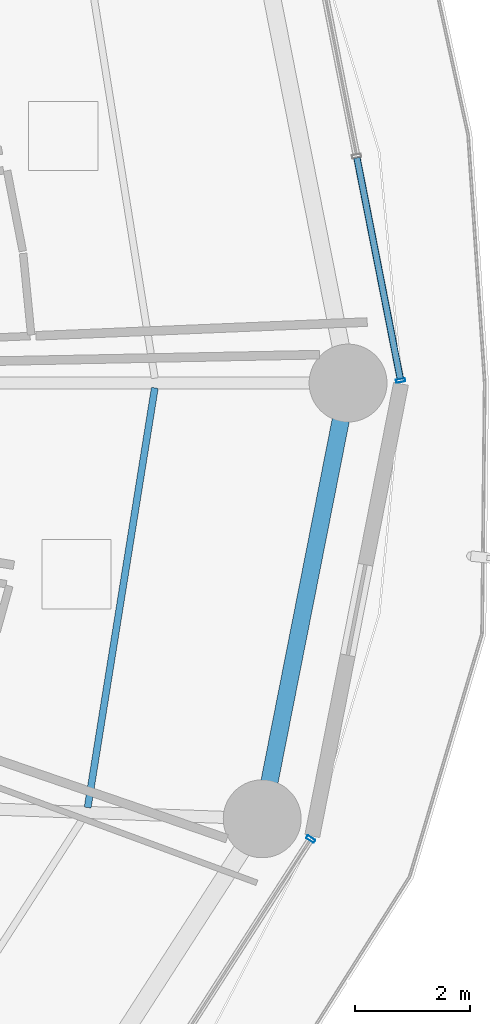
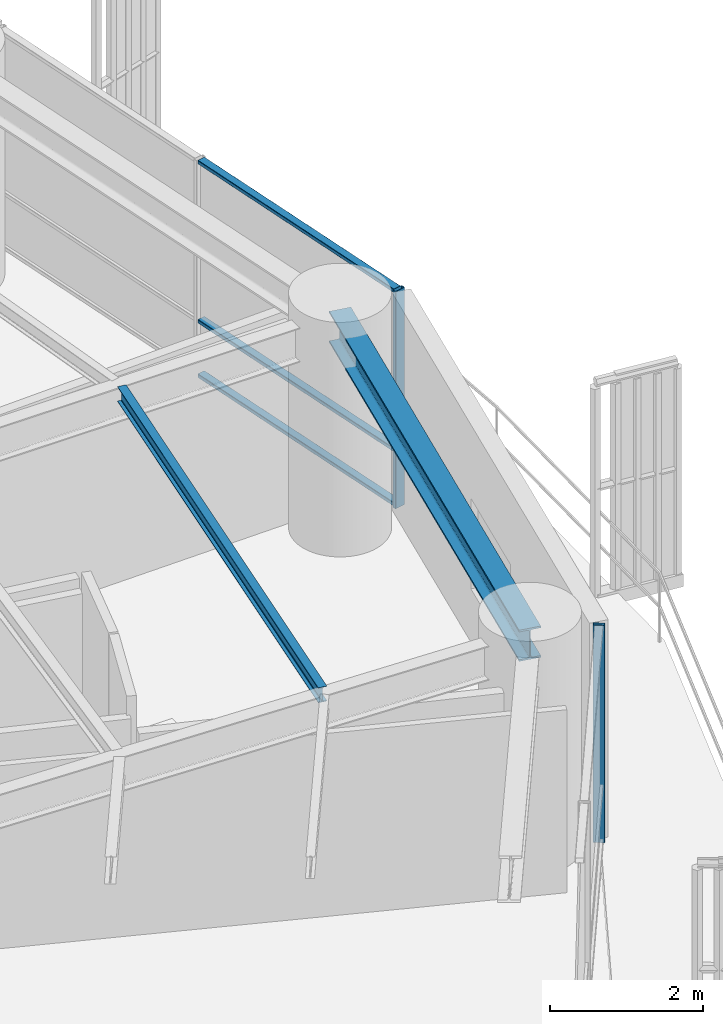
# One storey, part 15 of 35: 5 members, 2 beams, 2 elements without a shape of their own.
"""IFC4 building model written with IfcOpenShell, lengths in metres."""

from ifc_helpers import new_model, si_unit, direction, frame, origin, origin_2d, place, context, subcontext, project, spatial, hollow_rectangle, i_section, extrude, material, layer, layer_set, material_profile, profile_set, type_object, element, aggregate, save


model = new_model("IFC4")

# Units and contexts
model_context = context("Model", 3, precision=1e-05, world=origin(), true_north=direction((0.0, 1.0)))
body_context = subcontext(model_context, "Body", "Model", "MODEL_VIEW")
ifc_project = project(units=[si_unit("LENGTHUNIT", "METRE"), si_unit("AREAUNIT", "SQUARE_METRE"), si_unit("VOLUMEUNIT", "CUBIC_METRE"), si_unit("PLANEANGLEUNIT", "RADIAN"), si_unit("MASSUNIT", "GRAM", prefix="KILO")], contexts=[model_context])

# Site, building, storey
site_placement = place(None, origin())
site = spatial("IfcSite", under=ifc_project, at=site_placement, CompositionType="ELEMENT")
building_placement = place(site_placement, origin())
building = spatial("IfcBuilding", under=site, at=building_placement, Name="Kelanora Arch Commons", CompositionType="ELEMENT")
storey_placement = place(building_placement, frame((0.0, 0.0, 95.10009765625)))
storey = spatial("IfcBuildingStorey", under=building, at=storey_placement, Name="L24", CompositionType="ELEMENT", Elevation=95.10009765625)

# Beams
ifc_material_1 = material(Name="Steel S355", Category="steel")
ifc_material_profile_1 = material_profile(ifc_material_1, i_section(OverallWidth=0.1201171875, OverallDepth=0.239990234375, WebThickness=0.006103515625, FlangeThickness=0.009765625, FilletRadius=0.014892578125, at=origin_2d()), Name="IPE240")
ifc_profile_set_1 = profile_set([ifc_material_profile_1], Name="Steel S355")
beam_type_1 = type_object("IfcBeamType", Name="BM-JST-02", PredefinedType="JOIST", material=ifc_profile_set_1)
beam_1_placement = place(storey_placement, frame((94.166748046875, 50.642578125, 3.369873046875), z_axis=(0.157999549894, 0.987439184068, 0.0), x_axis=(-0.987439184068, 0.157999549894, 0.0)))
element("IfcBeam", 1, at=beam_1_placement, inside=storey, type_object=beam_type_1, Name="Secondary Chord Joist BJC-34 L24", PredefinedType="JOIST", context=body_context, shape_type="SweptSolid", body=[
    extrude(i_section(OverallWidth=0.1201171875, OverallDepth=0.239990234375, WebThickness=0.006103515625, FlangeThickness=0.009765625, FilletRadius=0.014892578125, at=origin_2d()), origin(), (0.0, 0.0, 1.0), 7.365966796875),
])
ifc_material_profile_2 = material_profile(ifc_material_1, i_section(OverallWidth=0.300048828125, OverallDepth=0.5, WebThickness=0.014404296875, FlangeThickness=0.028076171875, FilletRadius=0.027099609375, at=origin_2d()), Name="HEB500")
ifc_profile_set_2 = profile_set([ifc_material_profile_2], Name="Steel S355")
beam_type_2 = type_object("IfcBeamType", Name="BM-SPN-Z2", PredefinedType="SPANDREL", material=ifc_profile_set_2)
beam_2_placement = place(storey_placement, frame((97.191650390625, 50.4482421875, 3.239990234375), z_axis=(0.19335825777, 0.981128220037, 0.0), x_axis=(-0.981128220037, 0.19335825777, 0.0)))
element("IfcBeam", 2, at=beam_2_placement, inside=storey, type_object=beam_type_2, Name="Perimeter Spandrel Beam BS-34 L24", PredefinedType="SPANDREL", context=body_context, shape_type="SweptSolid", body=[
    extrude(i_section(OverallWidth=0.300048828125, OverallDepth=0.5, WebThickness=0.014404296875, FlangeThickness=0.028076171875, FilletRadius=0.027099609375, at=origin_2d()), origin(), (0.0, 0.0, 1.0), 7.697021484375),
])

# Curtain wall, member
ifc_material_2 = material(Name="Terracotta ceramic-fritted low-E glass and aluminium", Category="masonry")
ifc_layer = layer(ifc_material_2, 0.159912109375)
ifc_layer_set = layer_set([ifc_layer], Name="Terracotta ceramic-fritted low-E glass and aluminium")
curtain_wall_type = type_object("IfcCurtainWallType", Name="CW-SYS-01", PredefinedType="NOTDEFINED", material=ifc_layer_set)
curtain_wall_1_placement = place(storey_placement, origin())
curtain_wall_1 = element("IfcCurtainWall", 3, at=curtain_wall_1_placement, inside=storey, type_object=curtain_wall_type, Name="Unitised Curtain Wall L24-B00", PredefinedType="NOTDEFINED")
ifc_material_3 = material(Name="Powder-coated aluminium terracotta", Category="masonry")
ifc_material_profile_3 = material_profile(ifc_material_3, hollow_rectangle(XDim=0.159912109375, YDim=0.06005859375, WallThickness=0.0048828125, InnerFilletRadius=0.0048828125, OuterFilletRadius=0.010009765625, at=origin_2d()), Name="CWM160x60")
ifc_profile_set_3 = profile_set([ifc_material_profile_3], Name="Powder-coated aluminium terracotta")
member_type_1 = type_object("IfcMemberType", Name="CWM-STD", PredefinedType="MULLION", material=ifc_profile_set_3)
member_1_placement = place(storey_placement, frame((99.59130859375, 58.044189453125, 0.0), z_axis=(0.0, 0.0, 1.0), x_axis=(-0.981280311646, -0.192584916272, 0.0)))
member_1 = element("IfcMember", 4, at=member_1_placement, type_object=member_type_1, Name="CW-01 mullion 1", PredefinedType="MULLION", context=body_context, shape_type="SweptSolid", body=[
    extrude(hollow_rectangle(XDim=0.159912109375, YDim=0.06005859375, WallThickness=0.0048828125, InnerFilletRadius=0.0048828125, OuterFilletRadius=0.010009765625, at=origin_2d()), origin(), (0.0, 0.0, 1.0), 3.474853515625),
])

curtain_wall_2_placement = place(storey_placement, origin())
curtain_wall_2 = element("IfcCurtainWall", 5, at=curtain_wall_2_placement, inside=storey, type_object=curtain_wall_type, Name="Unitised Curtain Wall L24-B16", PredefinedType="NOTDEFINED")
member_2_placement = place(storey_placement, frame((98.03173828125, 50.095703125, 0.0), z_axis=(0.0, 0.0, 1.0), x_axis=(-0.841268883088, 0.540616931244, 0.0)))
member_2 = element("IfcMember", 6, at=member_2_placement, type_object=member_type_1, Name="CW-01 mullion 3", PredefinedType="MULLION", context=body_context, shape_type="SweptSolid", body=[
    extrude(hollow_rectangle(XDim=0.159912109375, YDim=0.06005859375, WallThickness=0.0048828125, InnerFilletRadius=0.0048828125, OuterFilletRadius=0.010009765625, at=origin_2d()), origin(), (0.0, 0.0, 1.0), 3.474853515625),
])
aggregate(curtain_wall_2, [member_2])

# Member
ifc_material_profile_4 = material_profile(ifc_material_3, hollow_rectangle(XDim=0.1201171875, YDim=0.06005859375, WallThickness=0.0048828125, InnerFilletRadius=0.0048828125, OuterFilletRadius=0.010009765625, at=origin_2d()), Name="CWT120x60")
ifc_profile_set_4 = profile_set([ifc_material_profile_4], Name="Powder-coated aluminium terracotta")
member_type_2 = type_object("IfcMemberType", Name="CWT-STD", PredefinedType="USERDEFINED", material=ifc_profile_set_4)
member_3_placement = place(storey_placement, frame((99.58544921875, 58.073486328125, 0.02978515625), z_axis=(-0.192578614785, 0.981281548348, 0.0), x_axis=(-0.981281548348, -0.192578614785, 0.0)))
member_3 = element("IfcMember", 7, at=member_3_placement, type_object=member_type_2, Name="CW-01 transom 1.1", ObjectType="TRANSOM", PredefinedType="USERDEFINED", context=body_context, shape_type="SweptSolid", body=[
    extrude(hollow_rectangle(XDim=0.1201171875, YDim=0.06005859375, WallThickness=0.0048828125, InnerFilletRadius=0.0048828125, OuterFilletRadius=0.010009765625, at=origin_2d()), origin(), (0.0, 0.0, 1.0), 3.9033203125),
])

member_4_placement = place(storey_placement, frame((99.58544921875, 58.073486328125, 0.89990234375), z_axis=(-0.192578614785, 0.981281548348, 0.0), x_axis=(-0.981281548348, -0.192578614785, 0.0)))
member_4 = element("IfcMember", 8, at=member_4_placement, type_object=member_type_2, Name="CW-01 transom 1.2", ObjectType="TRANSOM", PredefinedType="USERDEFINED", context=body_context, shape_type="SweptSolid", body=[
    extrude(hollow_rectangle(XDim=0.1201171875, YDim=0.06005859375, WallThickness=0.0048828125, InnerFilletRadius=0.0048828125, OuterFilletRadius=0.010009765625, at=origin_2d()), origin(), (0.0, 0.0, 1.0), 3.9033203125),
])

member_5_placement = place(storey_placement, frame((99.58544921875, 58.073486328125, 3.44482421875), z_axis=(-0.192578614785, 0.981281548348, 0.0), x_axis=(-0.981281548348, -0.192578614785, 0.0)))
member_5 = element("IfcMember", 9, at=member_5_placement, type_object=member_type_2, Name="CW-01 transom 1.3", ObjectType="TRANSOM", PredefinedType="USERDEFINED", context=body_context, shape_type="SweptSolid", body=[
    extrude(hollow_rectangle(XDim=0.1201171875, YDim=0.06005859375, WallThickness=0.0048828125, InnerFilletRadius=0.0048828125, OuterFilletRadius=0.010009765625, at=origin_2d()), origin(), (0.0, 0.0, 1.0), 3.9033203125),
])

aggregate(curtain_wall_1, [member_1, member_3, member_4, member_5])

save(model, "model.ifc")
